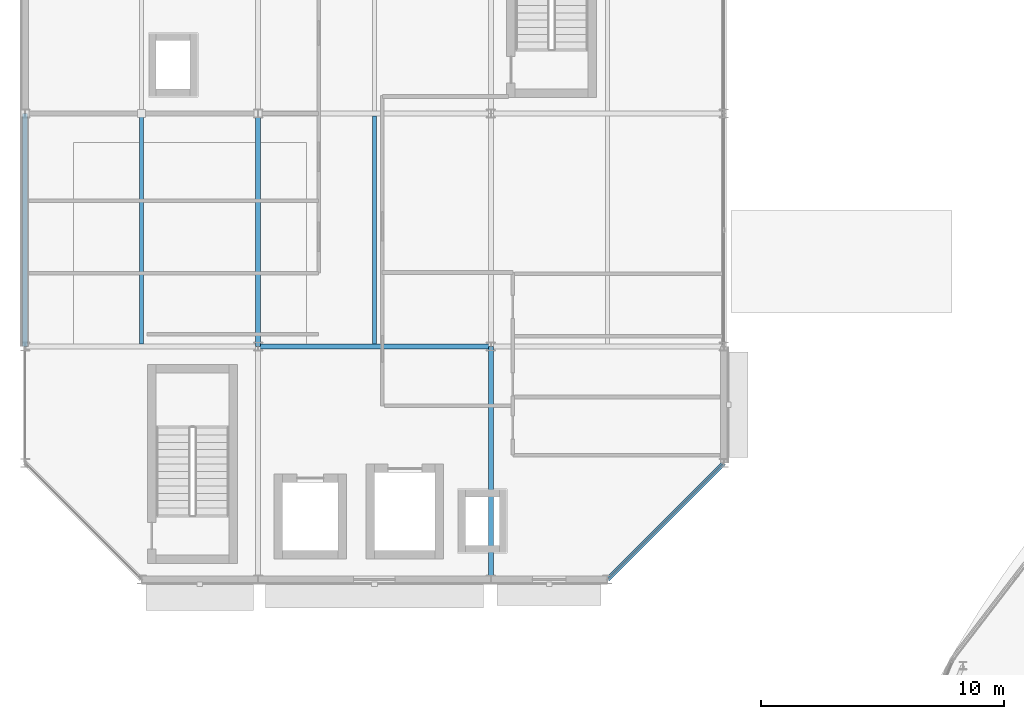
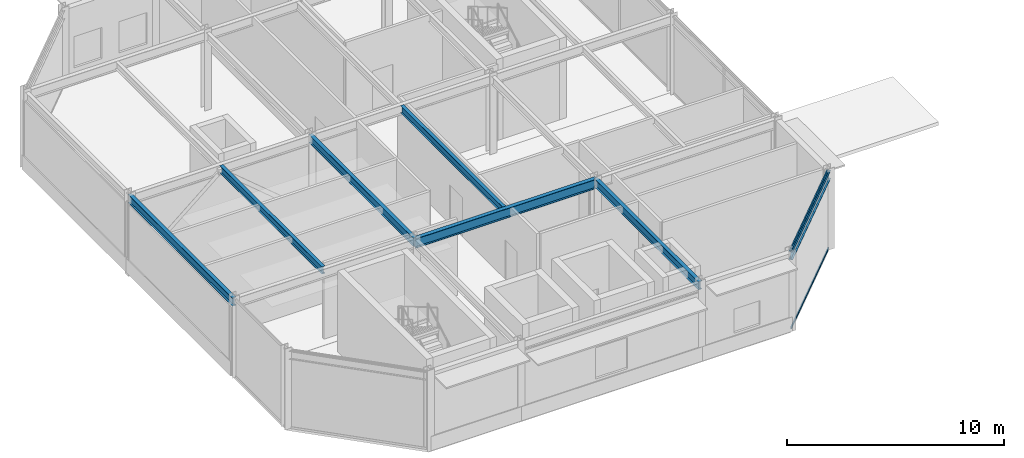
# One storey, part 48 of 133: 7 beams, 2 members, 1 element without a shape of its own.
"""IFC4 building model written with IfcOpenShell, lengths in metres."""

import ifcopenshell
import ifcopenshell.guid

model = None  # the IFC model being written
_history = None  # IfcOwnerHistory: only IFC2X3 demands one
_inside = {}  # id of a spatial element -> (the spatial element, [elements in it])
_under = {}  # id of a project, library or spatial element -> (it, [spatial elements below it])
_declared = {}  # id of a project -> (the project, [libraries it declares])
_typed = {}  # id of a type object -> (the type object, [elements of that type])
_made_of = {}  # id of a material, layer set ... -> (it, [elements and type objects made of it])


def new_model(schema):
    """Start an empty IFC model of exactly this schema.

    Asked for "IFC4X3", IfcOpenShell would pick the latest addendum, in which some entities
    have other attributes; the version numbers below select the first issue.
    IFC2X3 requires an IfcOwnerHistory on every rooted entity: one is made here for all.
    """
    global model, _history
    if schema == "IFC4X3":
        model = ifcopenshell.file(schema_version=(4, 3, 0, 0))
    else:
        model = ifcopenshell.file(schema=schema)
    _inside.clear()
    _under.clear()
    _declared.clear()
    _typed.clear()
    _made_of.clear()
    _history = None
    if model.schema == "IFC2X3":
        org = make("IfcOrganization", Name="unknown")
        user = make(
            "IfcPersonAndOrganization",
            ThePerson=make("IfcPerson", FamilyName="unknown"),
            TheOrganization=org,
        )
        app = make(
            "IfcApplication",
            ApplicationDeveloper=org,
            Version="unknown",
            ApplicationFullName="unknown",
            ApplicationIdentifier="unknown",
        )
        _history = make(
            "IfcOwnerHistory",
            OwningUser=user,
            OwningApplication=app,
            ChangeAction="ADDED",
            CreationDate=0,
        )
    return model


def make(cls, **values):
    """One entity of the class cls with the attributes given. An attribute that is None is left unset."""
    return model.create_entity(
        cls, **{name: value for name, value in values.items() if value is not None}
    )


def rooted(cls, **values):
    """An entity with a GlobalId (a new one), such as an element, a storey or a relation."""
    return make(cls, GlobalId=ifcopenshell.guid.new(), OwnerHistory=_history, **values)


def si_unit(unit_type, name, prefix=None):
    """IfcSIUnit, for example si_unit("LENGTHUNIT", "METRE", prefix="MILLI")."""
    return make("IfcSIUnit", UnitType=unit_type, Prefix=prefix, Name=name)


def assignment(units):
    """IfcUnitAssignment: the units of a project."""
    return None if units is None else make("IfcUnitAssignment", Units=units)


def point(xyz):
    """IfcCartesianPoint."""
    return None if xyz is None else make("IfcCartesianPoint", Coordinates=xyz)


def direction(xyz):
    """IfcDirection."""
    return None if xyz is None else make("IfcDirection", DirectionRatios=xyz)


def frame(location, z_axis=None, x_axis=None):
    """IfcAxis2Placement3D, a coordinate frame: its origin and axes. An axis left out is left unset."""
    return make(
        "IfcAxis2Placement3D",
        Location=point(location),
        Axis=direction(z_axis),
        RefDirection=direction(x_axis),
    )


def frame_2d(location, x_axis=None):
    """IfcAxis2Placement2D, a coordinate frame in the plane: its origin and x axis."""
    return make(
        "IfcAxis2Placement2D", Location=point(location), RefDirection=direction(x_axis)
    )


def origin():
    """The frame at (0, 0, 0) with its axes left unset."""
    return frame((0.0, 0.0, 0.0))


def origin_2d():
    """The frame at (0, 0) in the plane with its x axis left unset."""
    return frame_2d((0.0, 0.0))


def place(relative_to, where):
    """IfcLocalPlacement: puts the frame where relative to a parent placement (None: the world)."""
    return make(
        "IfcLocalPlacement", PlacementRelTo=relative_to, RelativePlacement=where
    )


def context(
    kind, dimensions, precision=None, world=None, true_north=None, identifier=None
):
    """IfcGeometricRepresentationContext, for example the 3D "Model" context."""
    return make(
        "IfcGeometricRepresentationContext",
        ContextIdentifier=identifier,
        ContextType=kind,
        CoordinateSpaceDimension=dimensions,
        Precision=precision,
        WorldCoordinateSystem=world,
        TrueNorth=true_north,
    )


def subcontext(parent, identifier, kind, view, scale=None):
    """IfcGeometricRepresentationSubContext, for example "Body" below "Model"."""
    return make(
        "IfcGeometricRepresentationSubContext",
        ContextIdentifier=identifier,
        ContextType=kind,
        ParentContext=parent,
        TargetScale=scale,
        TargetView=view,
    )


def project(units=None, contexts=None):
    """IfcProject with its units and contexts."""
    return rooted(
        "IfcProject",
        Name="project",
        RepresentationContexts=contexts,
        UnitsInContext=assignment(units),
    )


def spatial(cls, under=None, at=None, **own):
    """A site, building, storey or space (cls), placed at a placement, below another one or the project."""
    s = rooted(cls, ObjectPlacement=at, **own)
    if under is not None:
        _under.setdefault(under.id(), (under, []))[1].append(s)
    return s


def profile(cls, at=None, kind="AREA", **sizes):
    """A parametric profile (cls). Its sizes go by their IFC names, for example OverallWidth=200.0."""
    return make(cls, ProfileType=kind, Position=at, **sizes)


def hollow_rectangle(**sizes):
    """IfcRectangleHollowProfileDef."""
    return profile("IfcRectangleHollowProfileDef", **sizes)


def i_section(**sizes):
    """IfcIShapeProfileDef."""
    return profile("IfcIShapeProfileDef", **sizes)


def extrude(swept, where, along, depth):
    """IfcExtrudedAreaSolid: the profile swept, set in the frame where, extruded along a direction by depth."""
    return make(
        "IfcExtrudedAreaSolid",
        SweptArea=swept,
        Position=where,
        ExtrudedDirection=direction(along),
        Depth=depth,
    )


def shape(context_of_items, identifier, shape_type, items):
    """IfcShapeRepresentation: the items that make up one representation, for example the "Body"."""
    return make(
        "IfcShapeRepresentation",
        ContextOfItems=context_of_items,
        RepresentationIdentifier=identifier,
        RepresentationType=shape_type,
        Items=items,
    )


def material(Name=None, Category=None):
    """IfcMaterial."""
    return make("IfcMaterial", Name=Name, Category=Category)


def material_profile(
    of_material, cross_section, Name=None, Category=None, Priority=None
):
    """IfcMaterialProfile: a cross section and its material."""
    return make(
        "IfcMaterialProfile",
        Name=Name,
        Material=of_material,
        Profile=cross_section,
        Priority=Priority,
        Category=Category,
    )


def profile_set(profiles, Name=None, composite=None):
    """IfcMaterialProfileSet."""
    return make(
        "IfcMaterialProfileSet",
        Name=Name,
        MaterialProfiles=profiles,
        CompositeProfile=composite,
    )


def made_of(thing, what):
    """Note that an element or type object is made of a material, layer set ...; save() writes the relation."""
    if what is not None:
        _made_of.setdefault(what.id(), (what, []))[1].append(thing)
    return thing


def type_object(cls, material=None, **own):
    """A type object (cls), such as IfcWallType, which elements share."""
    return made_of(rooted(cls, **own), material)


def element(
    cls,
    number,
    at=None,
    inside=None,
    cuts=None,
    type_object=None,
    material=None,
    context=None,
    identifier="Body",
    shape_type=None,
    held_by="IfcProductDefinitionShape",
    body=None,
    shapes=None,
    **own,
):
    """One element of the class cls, such as IfcWall. Its Tag is "e" and its number.

    at: its placement. inside: the storey or other place that contains it. cuts: it is an
    opening in that element (IfcRelVoidsElement). A single representation is given by context,
    identifier, shape_type and body (its items); several are given by shapes. held_by: the class
    of the entity that holds the representations. save() writes the other relations.
    """
    e = rooted(cls, Tag="e%d" % number, ObjectPlacement=at, **own)
    if body is not None:
        shapes = [shape(context, identifier, shape_type, body)]
    if shapes is not None:
        e.Representation = make(held_by, Representations=shapes)
    if inside is not None:
        _inside.setdefault(inside.id(), (inside, []))[1].append(e)
    if cuts is not None:
        rooted(
            "IfcRelVoidsElement", RelatingBuildingElement=cuts, RelatedOpeningElement=e
        )
    if type_object is not None:
        _typed.setdefault(type_object.id(), (type_object, []))[1].append(e)
    return made_of(e, material)


def aggregate(whole, parts):
    """IfcRelAggregates: a whole, such as a stair, and the parts it consists of."""
    return rooted("IfcRelAggregates", RelatingObject=whole, RelatedObjects=parts)


def save(model, path):
    """Write the relations noted so far, then the file.

    IfcRelAggregates (storeys below a building ...), IfcRelContainedInSpatialStructure (elements
    in a storey), IfcRelDefinesByType, IfcRelAssociatesMaterial and IfcRelDeclares: one each for
    every whole, place, type object, material and project.
    """
    for whole, parts in _under.values():
        aggregate(whole, parts)
    for where, things in _inside.values():
        rooted(
            "IfcRelContainedInSpatialStructure",
            RelatedElements=things,
            RelatingStructure=where,
        )
    for kind, things in _typed.values():
        rooted("IfcRelDefinesByType", RelatedObjects=things, RelatingType=kind)
    for what, things in _made_of.values():
        rooted("IfcRelAssociatesMaterial", RelatedObjects=things, RelatingMaterial=what)
    for by, libraries in _declared.values():
        rooted("IfcRelDeclares", RelatingContext=by, RelatedDefinitions=libraries)
    model.write(path)


model = new_model("IFC4")

# Units and contexts
model_context = context("Model", 3, precision=1e-05, world=origin(), true_north=direction((0.0, 1.0)))
body_context = subcontext(model_context, "Body", "Model", "MODEL_VIEW")
ifc_project = project(units=[si_unit("LENGTHUNIT", "METRE"), si_unit("AREAUNIT", "SQUARE_METRE"), si_unit("VOLUMEUNIT", "CUBIC_METRE"), si_unit("PLANEANGLEUNIT", "RADIAN"), si_unit("MASSUNIT", "GRAM", prefix="KILO")], contexts=[model_context])

# Site, building, storey
site_placement = place(None, origin())
site = spatial("IfcSite", under=ifc_project, at=site_placement, CompositionType="ELEMENT")
building_placement = place(site_placement, origin())
building = spatial("IfcBuilding", under=site, at=building_placement, Name="Almandine Court Research Institute", CompositionType="ELEMENT")
storey_placement = place(building_placement, frame((0.0, 0.0, 9.800048828125)))
storey = spatial("IfcBuildingStorey", under=building, at=storey_placement, Name="L02", CompositionType="ELEMENT", Elevation=9.800048828125)

# Beams
ifc_material_1 = material(Name="Steel ASTM A992 Grade 50", Category="steel")
ifc_material_profile_1 = material_profile(ifc_material_1, i_section(OverallWidth=0.18994140625, OverallDepth=0.45703125, WebThickness=0.009033203125, FlangeThickness=0.014892578125, at=origin_2d()), Name="W460x74")
ifc_profile_set_1 = profile_set([ifc_material_profile_1], Name="Steel ASTM A992 Grade 50")
beam_type_1 = type_object("IfcBeamType", Name="Beam-B-01", PredefinedType="BEAM", material=ifc_profile_set_1)
beam_1_placement = place(storey_placement, frame((25.199951171875, 84.0, 4.140869140625), z_axis=(0.0, 1.0, 0.0), x_axis=(-1.0, 0.0, 0.0)))
element("IfcBeam", 1, at=beam_1_placement, inside=storey, type_object=beam_type_1, Name="L02 V3 Primary Y Girder", PredefinedType="BEAM", context=body_context, shape_type="SweptSolid", body=[
    extrude(i_section(OverallWidth=0.18994140625, OverallDepth=0.45703125, WebThickness=0.009033203125, FlangeThickness=0.014892578125, at=origin_2d()), origin(), (0.0, 0.0, 1.0), 9.60009765625),
])
beam_2_placement = place(storey_placement, frame((15.60009765625, 93.60009765625, 4.140869140625), z_axis=(0.0, 1.0, 0.0), x_axis=(-1.0, 0.0, 0.0)))
element("IfcBeam", 2, at=beam_2_placement, inside=storey, type_object=beam_type_1, Name="L02 V3 Primary Y Girder", PredefinedType="BEAM", context=body_context, shape_type="SweptSolid", body=[
    extrude(i_section(OverallWidth=0.18994140625, OverallDepth=0.45703125, WebThickness=0.009033203125, FlangeThickness=0.014892578125, at=origin_2d()), origin(), (0.0, 0.0, 1.0), 9.599853515625),
])
ifc_material_profile_2 = material_profile(ifc_material_1, i_section(OverallWidth=0.178955078125, OverallDepth=0.409912109375, WebThickness=0.009033203125, FlangeThickness=0.013916015625, at=origin_2d()), Name="W410x67")
ifc_profile_set_2 = profile_set([ifc_material_profile_2], Name="Steel ASTM A992 Grade 50")
beam_type_2 = type_object("IfcBeamType", Name="Beam-B-02", PredefinedType="JOIST", material=ifc_profile_set_2)
for number, where, z_axis, x_axis, name in (
    (3, (10.800048828125, 93.702880859375, 4.1650390625), (0.0, 1.0, 0.0), (-1.0, 0.0, 0.0), "L02 V3 Composite Secondary Beam"),
    (4, (20.39990234375, 93.702880859375, 4.1650390625), (0.0, 1.0, 0.0), (-1.0, 0.0, 0.0), "L02 V3 Composite Secondary Beam"),
):
    element("IfcBeam", number, at=place(storey_placement, frame(where, z_axis=z_axis, x_axis=x_axis)), inside=storey, type_object=beam_type_2, Name=name, PredefinedType="JOIST", context=body_context, shape_type="SweptSolid", body=[
        extrude(i_section(OverallWidth=0.178955078125, OverallDepth=0.409912109375, WebThickness=0.009033203125, FlangeThickness=0.013916015625, at=origin_2d()), origin(), (0.0, 0.0, 1.0), 9.39404296875),
    ])
ifc_material_profile_3 = material_profile(ifc_material_1, i_section(OverallWidth=0.2109375, OverallDepth=0.5390625, WebThickness=0.011962890625, FlangeThickness=0.01904296875, at=origin_2d()), Name="W530x109")
ifc_profile_set_3 = profile_set([ifc_material_profile_3], Name="Steel ASTM A992 Grade 50")
beam_type_3 = type_object("IfcBeamType", Name="Beam-G-04", PredefinedType="BEAM", material=ifc_profile_set_3)
beam_3_placement = place(storey_placement, frame((15.60009765625, 93.60009765625, 4.099853515625), z_axis=(1.0, 0.0, 0.0), x_axis=(0.0, 1.0, 0.0)))
element("IfcBeam", 5, at=beam_3_placement, inside=storey, type_object=beam_type_3, Name="L02 V3 Primary X Girder", PredefinedType="BEAM", context=body_context, shape_type="SweptSolid", body=[
    extrude(i_section(OverallWidth=0.2109375, OverallDepth=0.5390625, WebThickness=0.011962890625, FlangeThickness=0.01904296875, at=origin_2d()), origin(), (0.0, 0.0, 1.0), 9.599853515625),
])
ifc_material_profile_4 = material_profile(ifc_material_1, i_section(OverallWidth=0.193115234375, OverallDepth=0.466064453125, WebThickness=0.010986328125, FlangeThickness=0.01904296875, at=origin_2d()), Name="W460x97")
ifc_profile_set_4 = profile_set([ifc_material_profile_4], Name="Steel ASTM A992 Grade 50")
beam_type_4 = type_object("IfcBeamType", Name="Beam-G-06-E", PredefinedType="SPANDREL", material=ifc_profile_set_4)
beam_4_placement = place(storey_placement, frame((6.0, 93.60009765625, 4.136962890625), z_axis=(0.0, 1.0, 0.0), x_axis=(-1.0, 0.0, 0.0)))
element("IfcBeam", 6, at=beam_4_placement, inside=storey, type_object=beam_type_4, Name="L02 V3 Primary Y Girder", PredefinedType="SPANDREL", context=body_context, shape_type="SweptSolid", body=[
    extrude(i_section(OverallWidth=0.193115234375, OverallDepth=0.466064453125, WebThickness=0.010986328125, FlangeThickness=0.01904296875, at=origin_2d()), origin(), (0.0, 0.0, 1.0), 9.599853515625),
])
beam_5_placement = place(storey_placement, frame((30.0, 84.0, 4.136962890625), z_axis=(0.707106781187, 0.707106781187, 0.0), x_axis=(-0.707106781187, 0.707106781187, 0.0)))
element("IfcBeam", 7, at=beam_5_placement, inside=storey, type_object=beam_type_4, Name="L02 V3 Octagonal Chamfer Spandrel", PredefinedType="SPANDREL", context=body_context, shape_type="SweptSolid", body=[
    extrude(i_section(OverallWidth=0.193115234375, OverallDepth=0.466064453125, WebThickness=0.010986328125, FlangeThickness=0.01904296875, at=origin_2d()), origin(), (0.0, 0.0, 1.0), 6.788330078125),
])

# Curtain wall, members
ifc_material_2 = material(Name="Unitised Curtain Wall Framing and Solar Glazing", Category="glass")
curtain_wall_type = type_object("IfcCurtainWallType", Name="CW-CWG-05", PredefinedType="USERDEFINED", material=ifc_material_2)
curtain_wall_placement = place(storey_placement, origin())
curtain_wall = element("IfcCurtainWall", 8, at=curtain_wall_placement, inside=storey, type_object=curtain_wall_type, Name="L02 Cleanroom SE Chamfer Glazing", ObjectType="UNITISED GLAZING", PredefinedType="USERDEFINED")
ifc_material_3 = material(Name="Anodised Aluminium AW-6063-T6", Category="aluminium")
ifc_material_profile_5 = material_profile(ifc_material_3, hollow_rectangle(XDim=0.06005859375, YDim=0.110107421875, WallThickness=0.00390625, at=origin_2d()), Name="ALU RHS 60x110x4")
ifc_profile_set_5 = profile_set([ifc_material_profile_5], Name="Anodised Aluminium AW-6063-T6")
member_type = type_object("IfcMemberType", Name="CWTrn-60x110", PredefinedType="NOTDEFINED", material=ifc_profile_set_5)
member_1_placement = place(storey_placement, frame((34.753662109375, 88.753662109375, 0.030029296875), z_axis=(-0.707106781187, -0.707106781187, 0.0), x_axis=(0.707106781187, -0.707106781187, 0.0)))
member_1 = element("IfcMember", 9, at=member_1_placement, type_object=member_type, Name="CWG-05 transom 1.1", ObjectType="TRANSOM", PredefinedType="USERDEFINED", context=body_context, shape_type="SweptSolid", body=[
    extrude(hollow_rectangle(XDim=0.06005859375, YDim=0.110107421875, WallThickness=0.00390625, at=origin_2d()), origin(), (0.0, 0.0, 1.0), 6.656982421875),
])
member_2_placement = place(storey_placement, frame((34.753662109375, 88.753662109375, 4.33984375), z_axis=(-0.707106781187, -0.707106781187, 0.0), x_axis=(0.707106781187, -0.707106781187, 0.0)))
member_2 = element("IfcMember", 10, at=member_2_placement, type_object=member_type, Name="CWG-05 transom 1.2", ObjectType="TRANSOM", PredefinedType="USERDEFINED", context=body_context, shape_type="SweptSolid", body=[
    extrude(hollow_rectangle(XDim=0.06005859375, YDim=0.110107421875, WallThickness=0.00390625, at=origin_2d()), origin(), (0.0, 0.0, 1.0), 6.656982421875),
])
aggregate(curtain_wall, [member_1, member_2])

save(model, "model.ifc")
